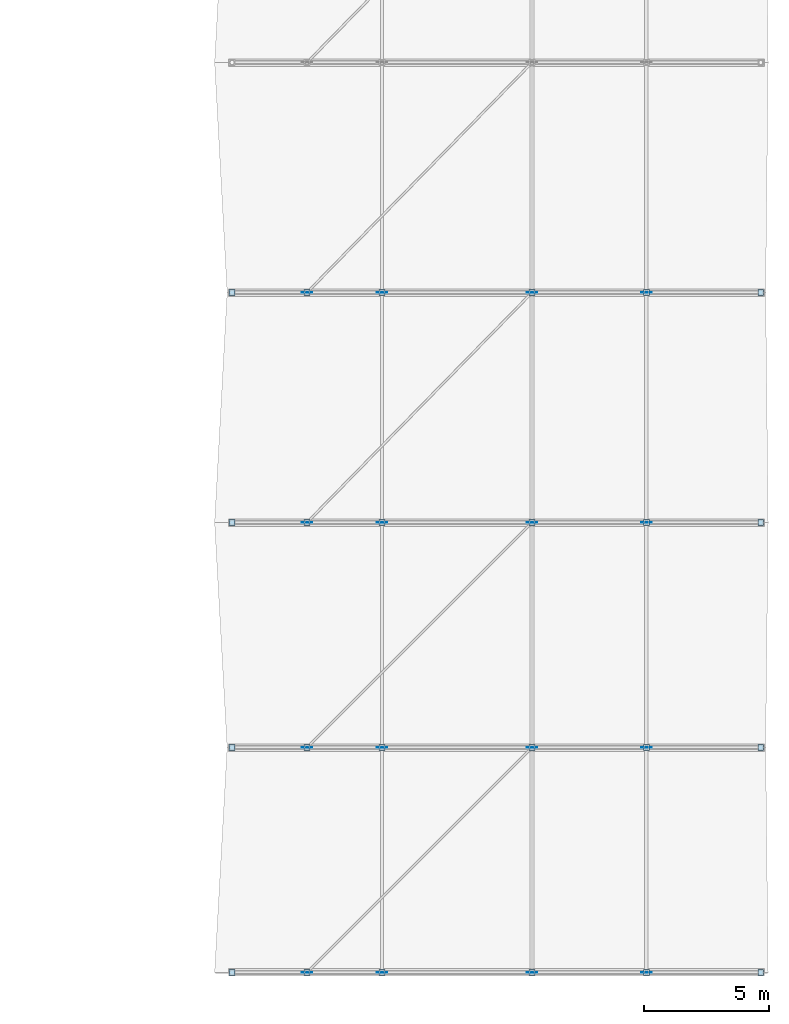
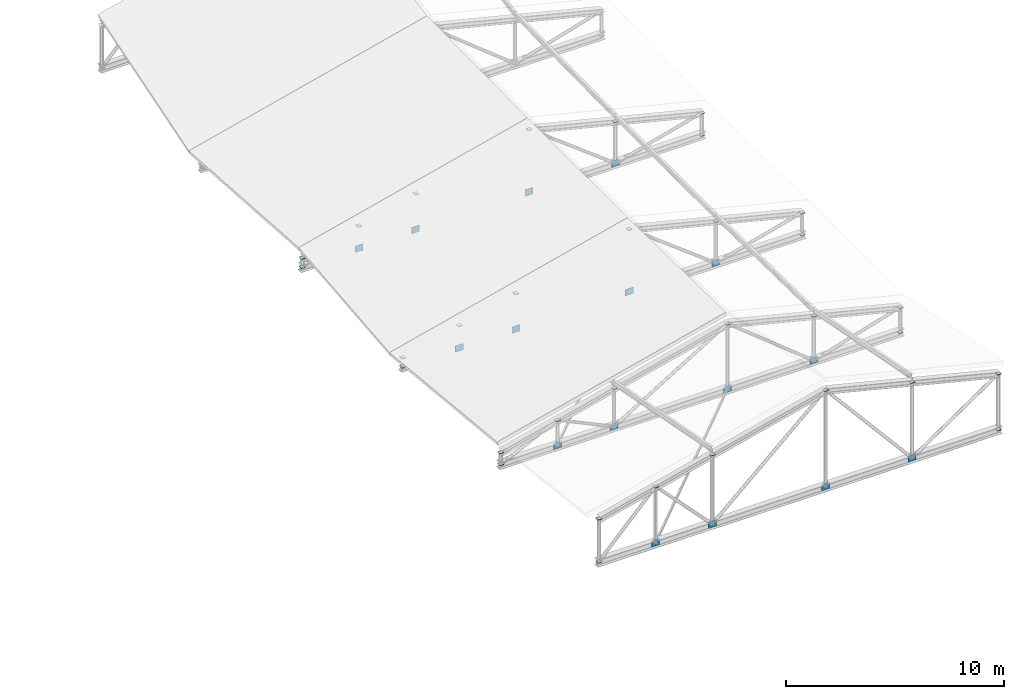
# One storey, part 24 of 33: 48 plates.
"""IFC4 building model written with IfcOpenShell, lengths in metres."""

from ifc_helpers import new_model, si_unit, direction, frame, origin, origin_2d, place, context, subcontext, project, spatial, rectangle, extrude, material, layer, layer_set, type_object, element, save


model = new_model("IFC4")

# Units and contexts
model_context = context("Model", 3, precision=1e-05, world=origin(), true_north=direction((0.0, 1.0)))
body_context = subcontext(model_context, "Body", "Model", "MODEL_VIEW")
ifc_project = project(units=[si_unit("LENGTHUNIT", "METRE"), si_unit("AREAUNIT", "SQUARE_METRE"), si_unit("VOLUMEUNIT", "CUBIC_METRE"), si_unit("PLANEANGLEUNIT", "RADIAN"), si_unit("MASSUNIT", "GRAM", prefix="KILO")], contexts=[model_context])

# Site, building, storey
site_placement = place(None, origin())
site = spatial("IfcSite", under=ifc_project, at=site_placement, CompositionType="ELEMENT")
building_placement = place(site_placement, origin())
building = spatial("IfcBuilding", under=site, at=building_placement, Name="Bozkorgan Art Gallery", CompositionType="ELEMENT")
storey_placement = place(building_placement, frame((0.0, 0.0, 19.5)))
storey = spatial("IfcBuildingStorey", under=building, at=storey_placement, Name="L04", CompositionType="ELEMENT", Elevation=19.5)

# Plates
ifc_material = material(Name="Steel S355J2", Category="steel")
ifc_layer_1 = layer(ifc_material, 0.01611328125, Name="Steel S355J2")
ifc_layer_set_1 = layer_set([ifc_layer_1], Name="Steel S355J2")
plate_type_1 = type_object("IfcPlateType", Name="PLATE-EC-05", PredefinedType="USERDEFINED", material=ifc_layer_set_1)
for number, where, z_axis, x_axis, name in (
    (1, (143.0, 2.0, 2.602294921875), (0.0, 0.0, 1.0), (1.0, 0.0, 0.0), "Truss V6 post cap 1.0"),
    (2, (143.0, 2.0, 0.19189453125), (0.0, 0.0, 1.0), (1.0, 0.0, 0.0), "Truss V6 post base cap 1.0"),
    (3, (146.0, 2.0, 3.350341796875), (0.0, 0.0, 1.0), (1.0, 0.0, 0.0), "Truss V6 post cap 1.1"),
    (4, (149.0, 2.0, 4.09814453125), (0.0, 0.0, 1.0), (1.0, 0.0, 0.0), "Truss V6 post cap 1.2"),
    (5, (155.0, 2.0, 5.59423828125), (0.0, 0.0, 1.0), (1.0, 0.0, 0.0), "Truss V6 post cap 1.3"),
    (6, (159.574951171875, 2.0, 4.45361328125), (0.0, 0.0, 1.0), (1.0, 0.0, 0.0), "Truss V6 post cap 1.4"),
    (7, (164.14990234375, 2.0, 3.31298828125), (0.0, 0.0, 1.0), (1.0, 0.0, 0.0), "Truss V6 post cap 1.5"),
    (8, (164.14990234375, 2.0, 0.19189453125), (0.0, 0.0, 1.0), (1.0, 0.0, 0.0), "Truss V6 post base cap 1.5"),
    (9, (143.0, 11.0, 0.863525390625), (0.0, 0.0, 1.0), (1.0, 0.0, 0.0), "Truss V6 post cap 2.0"),
    (10, (143.0, 11.0, 0.19189453125), (0.0, 0.0, 1.0), (1.0, 0.0, 0.0), "Truss V6 post base cap 2.0"),
    (11, (146.0, 11.0, 1.611572265625), (0.0, 0.0, 1.0), (1.0, 0.0, 0.0), "Truss V6 post cap 2.1"),
    (12, (149.0, 11.0, 2.359619140625), (0.0, 0.0, 1.0), (1.0, 0.0, 0.0), "Truss V6 post cap 2.2"),
    (13, (155.0, 11.0, 3.85546875), (0.0, 0.0, 1.0), (1.0, 0.0, 0.0), "Truss V6 post cap 2.3"),
    (14, (159.574951171875, 11.0, 2.71484375), (0.0, 0.0, 1.0), (1.0, 0.0, 0.0), "Truss V6 post cap 2.4"),
    (15, (164.14990234375, 11.0, 1.57421875), (0.0, 0.0, 1.0), (1.0, 0.0, 0.0), "Truss V6 post cap 2.5"),
    (16, (164.14990234375, 11.0, 0.19189453125), (0.0, 0.0, 1.0), (1.0, 0.0, 0.0), "Truss V6 post base cap 2.5"),
    (17, (143.0, 20.0, 0.708251953125), (0.0, 0.0, 1.0), (1.0, 0.0, 0.0), "Truss V6 post cap 3.0"),
    (18, (143.0, 20.0, 0.19189453125), (0.0, 0.0, 1.0), (1.0, 0.0, 0.0), "Truss V6 post base cap 3.0"),
    (19, (146.0, 20.0, 1.4560546875), (0.0, 0.0, 1.0), (1.0, 0.0, 0.0), "Truss V6 post cap 3.1"),
    (20, (149.0, 20.0, 2.2041015625), (0.0, 0.0, 1.0), (1.0, 0.0, 0.0), "Truss V6 post cap 3.2"),
    (21, (155.0, 20.0, 3.699951171875), (0.0, 0.0, 1.0), (1.0, 0.0, 0.0), "Truss V6 post cap 3.3"),
    (22, (159.574951171875, 20.0, 2.559326171875), (0.0, 0.0, 1.0), (1.0, 0.0, 0.0), "Truss V6 post cap 3.4"),
    (23, (164.14990234375, 20.0, 1.418701171875), (0.0, 0.0, 1.0), (1.0, 0.0, 0.0), "Truss V6 post cap 3.5"),
    (24, (164.14990234375, 20.0, 0.19189453125), (0.0, 0.0, 1.0), (1.0, 0.0, 0.0), "Truss V6 post base cap 3.5"),
    (25, (143.0, 29.199951171875, 0.708251953125), (0.0, 0.0, 1.0), (1.0, 0.0, 0.0), "Truss V6 post cap 4.0"),
    (26, (143.0, 29.199951171875, 0.19189453125), (0.0, 0.0, 1.0), (1.0, 0.0, 0.0), "Truss V6 post base cap 4.0"),
    (27, (146.0, 29.199951171875, 1.4560546875), (0.0, 0.0, 1.0), (1.0, 0.0, 0.0), "Truss V6 post cap 4.1"),
    (28, (149.0, 29.199951171875, 2.2041015625), (0.0, 0.0, 1.0), (1.0, 0.0, 0.0), "Truss V6 post cap 4.2"),
    (29, (155.0, 29.199951171875, 3.699951171875), (0.0, 0.0, 1.0), (1.0, 0.0, 0.0), "Truss V6 post cap 4.3"),
    (30, (159.574951171875, 29.199951171875, 2.559326171875), (0.0, 0.0, 1.0), (1.0, 0.0, 0.0), "Truss V6 post cap 4.4"),
    (31, (164.14990234375, 29.199951171875, 1.418701171875), (0.0, 0.0, 1.0), (1.0, 0.0, 0.0), "Truss V6 post cap 4.5"),
    (32, (164.14990234375, 29.199951171875, 0.19189453125), (0.0, 0.0, 1.0), (1.0, 0.0, 0.0), "Truss V6 post base cap 4.5"),
):
    element("IfcPlate", number, at=place(storey_placement, frame(where, z_axis=z_axis, x_axis=x_axis)), inside=storey, type_object=plate_type_1, Name=name, ObjectType="END CAP PLATE", PredefinedType="USERDEFINED", context=body_context, shape_type="SweptSolid", body=[
        extrude(rectangle(XDim=0.22998046875, YDim=0.22998046875, at=origin_2d()), origin(), (0.0, 0.0, 1.0), 0.01611328125),
    ])
ifc_layer_2 = layer(ifc_material, 0.02392578125, Name="Steel S355J2")
ifc_layer_set_2 = layer_set([ifc_layer_2], Name="Steel S355J2")
plate_type_2 = type_object("IfcPlateType", Name="PLATE-GP-38", PredefinedType="USERDEFINED", material=ifc_layer_set_2)
for number, where, z_axis, x_axis, name in (
    (33, (155.0, 2.0, 0.02001953125), (0.0, 0.0, 1.0), (1.0, 0.0, 0.0), "Truss V6 span 1 node gusset TN-3"),
    (34, (155.0, 11.0, 0.02001953125), (0.0, 0.0, 1.0), (1.0, 0.0, 0.0), "Truss V6 span 2 node gusset TN-3"),
    (35, (155.0, 20.0, 0.02001953125), (0.0, 0.0, 1.0), (1.0, 0.0, 0.0), "Truss V6 span 3 node gusset TN-3"),
    (36, (155.0, 29.199951171875, 0.02001953125), (0.0, 0.0, 1.0), (1.0, 0.0, 0.0), "Truss V6 span 4 node gusset TN-3"),
):
    element("IfcPlate", number, at=place(storey_placement, frame(where, z_axis=z_axis, x_axis=x_axis)), inside=storey, type_object=plate_type_2, Name=name, ObjectType="GUSSET PLATE", PredefinedType="USERDEFINED", context=body_context, shape_type="SweptSolid", body=[
        extrude(rectangle(XDim=0.419921875, YDim=0.02001953125, at=origin_2d()), origin(), (0.0, 0.0, 1.0), 0.360107421875),
    ])
ifc_layer_3 = layer(ifc_material, 0.02001953125, Name="Steel S355J2")
ifc_layer_set_3 = layer_set([ifc_layer_3], Name="Steel S355J2")
plate_type_3 = type_object("IfcPlateType", Name="PLATE-GP-55", PredefinedType="USERDEFINED", material=ifc_layer_set_3)
for number, where, z_axis, x_axis, name in (
    (37, (146.0, 2.0, 0.02001953125), (0.0, 0.0, 1.0), (1.0, 0.0, 0.0), "Truss V6 span 1 node gusset TN-1"),
    (38, (149.0, 2.0, 0.02001953125), (0.0, 0.0, 1.0), (1.0, 0.0, 0.0), "Truss V6 span 1 node gusset TN-2"),
    (39, (159.574951171875, 2.0, 0.02001953125), (0.0, 0.0, 1.0), (1.0, 0.0, 0.0), "Truss V6 span 1 node gusset TN-4"),
    (40, (146.0, 11.0, 0.02001953125), (0.0, 0.0, 1.0), (1.0, 0.0, 0.0), "Truss V6 span 2 node gusset TN-1"),
    (41, (149.0, 11.0, 0.02001953125), (0.0, 0.0, 1.0), (1.0, 0.0, 0.0), "Truss V6 span 2 node gusset TN-2"),
    (42, (159.574951171875, 11.0, 0.02001953125), (0.0, 0.0, 1.0), (1.0, 0.0, 0.0), "Truss V6 span 2 node gusset TN-4"),
    (43, (146.0, 20.0, 0.02001953125), (0.0, 0.0, 1.0), (1.0, 0.0, 0.0), "Truss V6 span 3 node gusset TN-1"),
    (44, (149.0, 20.0, 0.02001953125), (0.0, 0.0, 1.0), (1.0, 0.0, 0.0), "Truss V6 span 3 node gusset TN-2"),
    (45, (159.574951171875, 20.0, 0.02001953125), (0.0, 0.0, 1.0), (1.0, 0.0, 0.0), "Truss V6 span 3 node gusset TN-4"),
    (46, (146.0, 29.199951171875, 0.02001953125), (0.0, 0.0, 1.0), (1.0, 0.0, 0.0), "Truss V6 span 4 node gusset TN-1"),
    (47, (149.0, 29.199951171875, 0.02001953125), (0.0, 0.0, 1.0), (1.0, 0.0, 0.0), "Truss V6 span 4 node gusset TN-2"),
    (48, (159.574951171875, 29.199951171875, 0.02001953125), (0.0, 0.0, 1.0), (1.0, 0.0, 0.0), "Truss V6 span 4 node gusset TN-4"),
):
    element("IfcPlate", number, at=place(storey_placement, frame(where, z_axis=z_axis, x_axis=x_axis)), inside=storey, type_object=plate_type_3, Name=name, ObjectType="GUSSET PLATE", PredefinedType="USERDEFINED", context=body_context, shape_type="SweptSolid", body=[
        extrude(rectangle(XDim=0.419921875, YDim=0.02001953125, at=origin_2d()), origin(), (0.0, 0.0, 1.0), 0.360107421875),
    ])

save(model, "model.ifc")
